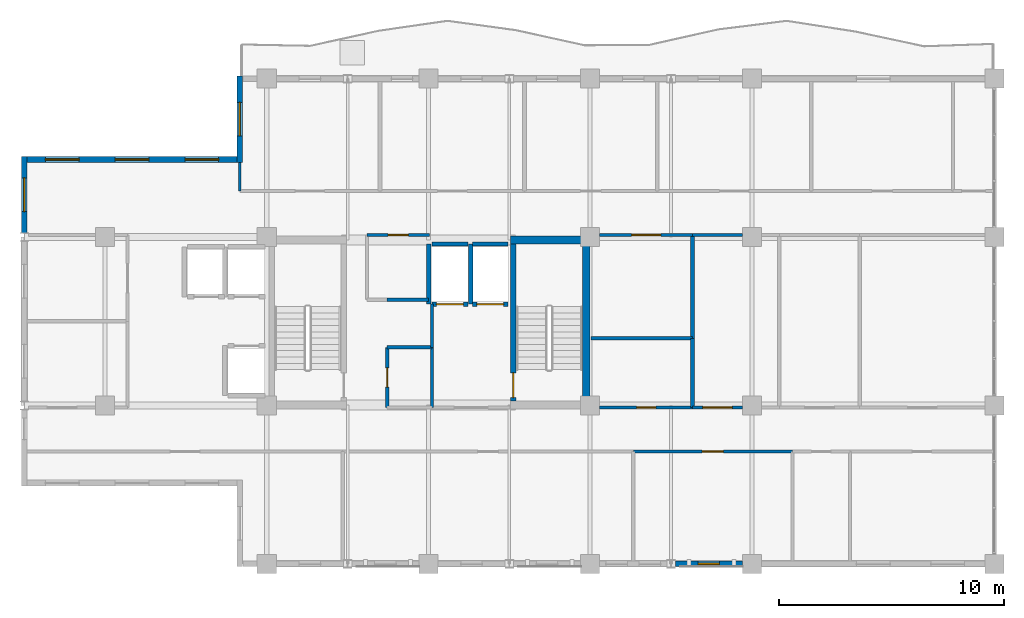
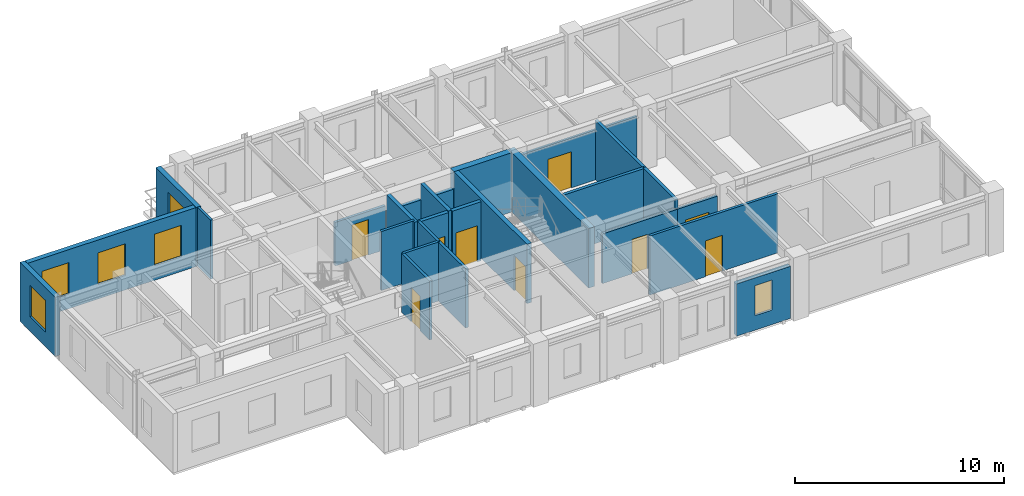
# One storey, part 7 of 10: 28 walls, 9 doors, 6 windows, 15 openings.
"""IFC4 building model written with IfcOpenShell, lengths in metres."""

from ifc_helpers import new_model, si_unit, direction, frame, frame_2d, origin, place, context, subcontext, project, spatial, rectangle, extrude, material, layer, layer_set, type_object, element, fill, save


model = new_model("IFC4")

# Units and contexts
model_context = context("Model", 3, precision=1e-05, world=origin(), true_north=direction((0.0, 1.0)))
body_context = subcontext(model_context, "Body", "Model", "MODEL_VIEW")
ifc_project = project(units=[si_unit("LENGTHUNIT", "METRE"), si_unit("AREAUNIT", "SQUARE_METRE"), si_unit("VOLUMEUNIT", "CUBIC_METRE"), si_unit("PLANEANGLEUNIT", "RADIAN"), si_unit("MASSUNIT", "GRAM", prefix="KILO")], contexts=[model_context])

# Site, building, storey
site_placement = place(None, origin())
site = spatial("IfcSite", under=ifc_project, at=site_placement, CompositionType="ELEMENT")
building_placement = place(site_placement, origin())
building = spatial("IfcBuilding", under=site, at=building_placement, Name="Kaliganga Portal Commons", CompositionType="ELEMENT")
storey_placement = place(building_placement, frame((0.0, 0.0, 286.89990234375)))
storey = spatial("IfcBuildingStorey", under=building, at=storey_placement, Name="L74", CompositionType="ELEMENT", Elevation=286.89990234375)

# Walls
ifc_material_1 = material(Name="Concrete C50/60", Category="concrete")
ifc_layer_1 = layer(ifc_material_1, 0.35009765625)
ifc_layer_set_1 = layer_set([ifc_layer_1], Name="Concrete C50/60")
wall_type_1 = type_object("IfcWallType", Name="WL-CORE-350", PredefinedType="SHEAR", material=ifc_layer_set_1)
wall_1_placement = place(storey_placement, frame((28.625, 28.5, 0.0), z_axis=(0.0, 0.0, 1.0), x_axis=(0.0, 1.0, 0.0)))
element("IfcWall", 1, at=wall_1_placement, inside=storey, type_object=wall_type_1, Name="Core A East Shear Wall L74", PredefinedType="SHEAR", context=body_context, shape_type="SweptSolid", body=[
    extrude(rectangle(XDim=7.699951171875, YDim=0.35009765625, at=frame_2d((3.85009765625, 0.0))), origin(), (0.0, 0.0, 1.0), 3.47509765625),
])
wall_2_placement = place(storey_placement, frame((25.25, 36.02490234375, 0.0), z_axis=(0.0, 0.0, 1.0), x_axis=(1.0, 0.0, 0.0)))
element("IfcWall", 2, at=wall_2_placement, inside=storey, type_object=wall_type_1, Name="Core A N-East Shear Wall L74", PredefinedType="SHEAR", context=body_context, shape_type="SweptSolid", body=[
    extrude(rectangle(XDim=3.199951171875, YDim=0.35009765625, at=frame_2d((1.60009765625, 0.0))), origin(), (0.0, 0.0, 1.0), 3.47509765625),
])

# Wall, opening, window
ifc_material_2 = material(Name="Insulated Aluminium-Clad Spandrel Assembly", Category="aluminium")
ifc_layer_2 = layer(ifc_material_2, 0.260009765625)
ifc_layer_set_2 = layer_set([ifc_layer_2], Name="Insulated Aluminium-Clad Spandrel Assembly")
wall_type_2 = type_object("IfcWallType", Name="WL-EXT-SPAND-260", PredefinedType="STANDARD", material=ifc_layer_set_2)
wall_3_placement = place(storey_placement, frame((35.573974609375, 21.60009765625, 0.0), z_axis=(0.0, 0.0, 1.0), x_axis=(-1.0, 0.0, 0.0)))
wall_3 = element("IfcWall", 3, at=wall_3_placement, inside=storey, type_object=wall_type_2, Name="Exterior Envelope Wall L74 P1-E00-S7", PredefinedType="STANDARD", context=body_context, shape_type="SweptSolid", body=[
    extrude(rectangle(XDim=2.986083984375, YDim=0.260009765625, at=frame_2d((1.4931640625, 0.0))), origin(), (0.0, 0.0, 1.0), 3.05517578125),
])
opening_1_placement = place(wall_3_placement, frame((1.01806640625, 0.0, 0.85009765625)))
opening_1 = element("IfcOpeningElement", 4, at=opening_1_placement, cuts=wall_3, Name="Opening W-04", PredefinedType="OPENING", context=body_context, shape_type="SweptSolid", body=[
    extrude(rectangle(XDim=0.949951171875, YDim=1.75, at=frame_2d((0.47509765625, 0.875))), frame((0.0, 0.14013671875, 0.0), z_axis=(0.0, -1.0, 0.0), x_axis=(1.0, 0.0, 0.0)), (0.0, 0.0, 1.0), 0.280029296875),
])
ifc_material_3 = material(Name="Thermally Broken Aluminium and Low-E Double Glazing", Category="aluminium")
window_type_1 = type_object("IfcWindowType", Name="WIN-NARROW-950", PartitioningType="SINGLE_PANEL", PredefinedType="WINDOW", material=ifc_material_3)
window_1_placement = place(opening_1_placement, origin())
window_1 = element("IfcWindow", 5, at=window_1_placement, inside=storey, type_object=window_type_1, Name="Facade Window L74-P1E00S7-00", OverallHeight=1.75, OverallWidth=0.949951171875, PartitioningType="SINGLE_PANEL", PredefinedType="WINDOW", context=body_context, shape_type="SweptSolid", body=[
    extrude(rectangle(XDim=0.949951171875, YDim=1.75, at=frame_2d((0.47509765625, 0.875))), frame((0.0, 0.030029296875, 0.0), z_axis=(0.0, -1.0, 0.0), x_axis=(1.0, 0.0, 0.0)), (0.0, 0.0, 1.0), 0.06005859375),
])
fill(opening_1, window_1)

wall_4_placement = place(storey_placement, frame((13.199951171875, 39.469970703125, 0.0), z_axis=(0.0, 0.0, 1.0), x_axis=(0.0, 1.0, 0.0)))
wall_4 = element("IfcWall", 6, at=wall_4_placement, inside=storey, type_object=wall_type_2, Name="Exterior Envelope Wall L74 P1-E03-S1", PredefinedType="STANDARD", context=body_context, shape_type="SweptSolid", body=[
    extrude(rectangle(XDim=3.860107421875, YDim=0.260009765625, at=frame_2d((1.93017578125, 0.0))), origin(), (0.0, 0.0, 1.0), 3.455078125),
])
opening_2_placement = place(wall_4_placement, frame((1.179931640625, 0.0, 0.85009765625)))
opening_2 = element("IfcOpeningElement", 7, at=opening_2_placement, cuts=wall_4, Name="Opening W-02", PredefinedType="OPENING", context=body_context, shape_type="SweptSolid", body=[
    extrude(rectangle(XDim=1.5, YDim=1.85009765625, at=frame_2d((0.75, 0.925048828125))), frame((0.0, 0.14013671875, 0.0), z_axis=(0.0, -1.0, 0.0), x_axis=(1.0, 0.0, 0.0)), (0.0, 0.0, 1.0), 0.280029296875),
])
window_type_2 = type_object("IfcWindowType", Name="WIN-STD-1500", PartitioningType="DOUBLE_PANEL_VERTICAL", PredefinedType="WINDOW", material=ifc_material_3)
window_2_placement = place(opening_2_placement, origin())
window_2 = element("IfcWindow", 8, at=window_2_placement, inside=storey, type_object=window_type_2, Name="Facade Window L74-P1E03S1-00", OverallHeight=1.85009765625, OverallWidth=1.5, PartitioningType="SINGLE_PANEL", PredefinedType="WINDOW", context=body_context, shape_type="SweptSolid", body=[
    extrude(rectangle(XDim=1.5, YDim=1.85009765625, at=frame_2d((0.75, 0.925048828125))), frame((0.0, 0.030029296875, 0.0), z_axis=(0.0, -1.0, 0.0), x_axis=(1.0, 0.0, 0.0)), (0.0, 0.0, 1.0), 0.06005859375),
])
fill(opening_2, window_2)

# Wall, openings, windows
wall_5_placement = place(storey_placement, frame((3.735107421875, 39.60009765625, 0.0), z_axis=(0.0, 0.0, 1.0), x_axis=(1.0, 0.0, 0.0)))
wall_5 = element("IfcWall", 9, at=wall_5_placement, inside=storey, type_object=wall_type_2, Name="Exterior Envelope Wall L74 P1-E04-S1", PredefinedType="STANDARD", context=body_context, shape_type="SweptSolid", body=[
    extrude(rectangle(XDim=9.329833984375, YDim=0.260009765625, at=frame_2d((4.6650390625, 0.0))), origin(), (0.0, 0.0, 1.0), 3.455078125),
])
opening_3_placement = place(wall_5_placement, frame((0.804931640625, 0.0, 0.85009765625)))
opening_3 = element("IfcOpeningElement", 10, at=opening_3_placement, cuts=wall_5, Name="Opening W-02", PredefinedType="OPENING", context=body_context, shape_type="SweptSolid", body=[
    extrude(rectangle(XDim=1.5, YDim=1.85009765625, at=frame_2d((0.75, 0.925048828125))), frame((0.0, 0.14013671875, 0.0), z_axis=(0.0, -1.0, 0.0), x_axis=(1.0, 0.0, 0.0)), (0.0, 0.0, 1.0), 0.280029296875),
])
opening_4_placement = place(wall_5_placement, frame((3.9150390625, 0.0, 0.85009765625)))
opening_4 = element("IfcOpeningElement", 11, at=opening_4_placement, cuts=wall_5, Name="Opening W-02", PredefinedType="OPENING", context=body_context, shape_type="SweptSolid", body=[
    extrude(rectangle(XDim=1.5, YDim=1.85009765625, at=frame_2d((0.75, 0.925048828125))), frame((0.0, 0.14013671875, 0.0), z_axis=(0.0, -1.0, 0.0), x_axis=(1.0, 0.0, 0.0)), (0.0, 0.0, 1.0), 0.280029296875),
])
opening_5_placement = place(wall_5_placement, frame((7.02490234375, 0.0, 0.85009765625)))
opening_5 = element("IfcOpeningElement", 12, at=opening_5_placement, cuts=wall_5, Name="Opening W-02", PredefinedType="OPENING", context=body_context, shape_type="SweptSolid", body=[
    extrude(rectangle(XDim=1.5, YDim=1.85009765625, at=frame_2d((0.75, 0.925048828125))), frame((0.0, 0.14013671875, 0.0), z_axis=(0.0, -1.0, 0.0), x_axis=(1.0, 0.0, 0.0)), (0.0, 0.0, 1.0), 0.280029296875),
])
window_3_placement = place(opening_3_placement, origin())
window_3 = element("IfcWindow", 13, at=window_3_placement, inside=storey, type_object=window_type_2, Name="Facade Window L74-P1E04S1-00", OverallHeight=1.85009765625, OverallWidth=1.5, PartitioningType="SINGLE_PANEL", PredefinedType="WINDOW", context=body_context, shape_type="SweptSolid", body=[
    extrude(rectangle(XDim=1.5, YDim=1.85009765625, at=frame_2d((0.75, 0.925048828125))), frame((0.0, 0.030029296875, 0.0), z_axis=(0.0, -1.0, 0.0), x_axis=(1.0, 0.0, 0.0)), (0.0, 0.0, 1.0), 0.06005859375),
])
fill(opening_3, window_3)
window_4_placement = place(opening_4_placement, origin())
window_4 = element("IfcWindow", 14, at=window_4_placement, inside=storey, type_object=window_type_2, Name="Facade Window L74-P1E04S1-01", OverallHeight=1.85009765625, OverallWidth=1.5, PartitioningType="SINGLE_PANEL", PredefinedType="WINDOW", context=body_context, shape_type="SweptSolid", body=[
    extrude(rectangle(XDim=1.5, YDim=1.85009765625, at=frame_2d((0.75, 0.925048828125))), frame((0.0, 0.030029296875, 0.0), z_axis=(0.0, -1.0, 0.0), x_axis=(1.0, 0.0, 0.0)), (0.0, 0.0, 1.0), 0.06005859375),
])
fill(opening_4, window_4)
window_5_placement = place(opening_5_placement, origin())
window_5 = element("IfcWindow", 15, at=window_5_placement, inside=storey, type_object=window_type_2, Name="Facade Window L74-P1E04S1-02", OverallHeight=1.85009765625, OverallWidth=1.5, PartitioningType="SINGLE_PANEL", PredefinedType="WINDOW", context=body_context, shape_type="SweptSolid", body=[
    extrude(rectangle(XDim=1.5, YDim=1.85009765625, at=frame_2d((0.75, 0.925048828125))), frame((0.0, 0.030029296875, 0.0), z_axis=(0.0, -1.0, 0.0), x_axis=(1.0, 0.0, 0.0)), (0.0, 0.0, 1.0), 0.06005859375),
])
fill(opening_5, window_5)

# Wall, opening, window
wall_6_placement = place(storey_placement, frame((3.60009765625, 36.3369140625, 0.0), z_axis=(0.0, 0.0, 1.0), x_axis=(0.0, 1.0, 0.0)))
wall_6 = element("IfcWall", 16, at=wall_6_placement, inside=storey, type_object=wall_type_2, Name="Exterior Envelope Wall L74 P1-E05-S1", PredefinedType="STANDARD", context=body_context, shape_type="SweptSolid", body=[
    extrude(rectangle(XDim=3.39306640625, YDim=0.260009765625, at=frame_2d((1.696533203125, 0.0))), origin(), (0.0, 0.0, 1.0), 3.455078125),
])
opening_6_placement = place(wall_6_placement, frame((0.946533203125, 0.0, 0.85009765625)))
opening_6 = element("IfcOpeningElement", 17, at=opening_6_placement, cuts=wall_6, Name="Opening W-02", PredefinedType="OPENING", context=body_context, shape_type="SweptSolid", body=[
    extrude(rectangle(XDim=1.5, YDim=1.85009765625, at=frame_2d((0.75, 0.925048828125))), frame((0.0, 0.14013671875, 0.0), z_axis=(0.0, -1.0, 0.0), x_axis=(1.0, 0.0, 0.0)), (0.0, 0.0, 1.0), 0.280029296875),
])
window_6_placement = place(opening_6_placement, origin())
window_6 = element("IfcWindow", 18, at=window_6_placement, inside=storey, type_object=window_type_2, Name="Facade Window L74-P1E05S1-00", OverallHeight=1.85009765625, OverallWidth=1.5, PartitioningType="SINGLE_PANEL", PredefinedType="WINDOW", context=body_context, shape_type="SweptSolid", body=[
    extrude(rectangle(XDim=1.5, YDim=1.85009765625, at=frame_2d((0.75, 0.925048828125))), frame((0.0, 0.030029296875, 0.0), z_axis=(0.0, -1.0, 0.0), x_axis=(1.0, 0.0, 0.0)), (0.0, 0.0, 1.0), 0.06005859375),
])
fill(opening_6, window_6)

# Wall, opening, door
ifc_material_4 = material(Name="Fire-Rated Gypsum Board on Steel Stud", Category="steel")
ifc_layer_3 = layer(ifc_material_4, 0.14990234375)
ifc_layer_set_3 = layer_set([ifc_layer_3], Name="Fire-Rated Gypsum Board on Steel Stud")
wall_type_3 = type_object("IfcWallType", Name="WL-PART-CORR-150", PredefinedType="PARTITIONING", material=ifc_layer_set_3)
wall_7_placement = place(storey_placement, frame((30.719970703125, 26.60009765625, 0.0), z_axis=(0.0, 0.0, 1.0), x_axis=(1.0, 0.0, 0.0)))
wall_7 = element("IfcWall", 19, at=wall_7_placement, inside=storey, type_object=wall_type_3, Name="Interior Partition L74-003", PredefinedType="PARTITIONING", context=body_context, shape_type="SweptSolid", body=[
    extrude(rectangle(XDim=7.080078125, YDim=0.14990234375, at=frame_2d((3.5400390625, 0.0))), origin(), (0.0, 0.0, 1.0), 3.455078125),
])
opening_7_placement = place(wall_7_placement, frame((3.06494140625, 0.0, 0.0)))
opening_7 = element("IfcOpeningElement", 20, at=opening_7_placement, cuts=wall_7, Name="Opening UD-01", PredefinedType="OPENING", context=body_context, shape_type="SweptSolid", body=[
    extrude(rectangle(XDim=0.949951171875, YDim=2.10009765625, at=frame_2d((0.47509765625, 1.050048828125))), frame((0.0, 0.0849609375, 0.0), z_axis=(0.0, -1.0, 0.0), x_axis=(1.0, 0.0, 0.0)), (0.0, 0.0, 1.0), 0.169921875),
])
ifc_material_5 = material(Name="Solid-Core Timber Acoustic Fire Door", Category="wood")
door_type_1 = type_object("IfcDoorType", Name="DR-UNIT-950", OperationType="NOTDEFINED", PredefinedType="DOOR", material=ifc_material_5)
door_1_placement = place(opening_7_placement, origin())
door_1 = element("IfcDoor", 21, at=door_1_placement, inside=storey, type_object=door_type_1, Name="Interior Door L74-AS03", OperationType="SINGLE_SWING_LEFT", OverallHeight=2.10009765625, OverallWidth=0.949951171875, PredefinedType="DOOR", context=body_context, shape_type="SweptSolid", body=[
    extrude(rectangle(XDim=0.949951171875, YDim=2.10009765625, at=frame_2d((0.47509765625, 1.050048828125))), frame((0.0, 0.02490234375, 0.0), z_axis=(0.0, -1.0, 0.0), x_axis=(1.0, 0.0, 0.0)), (0.0, 0.0, 1.0), 0.050048828125),
])
fill(opening_7, door_1)

wall_8_placement = place(storey_placement, frame((29.22509765625, 28.56005859375, 0.0), z_axis=(0.0, 0.0, 1.0), x_axis=(1.0, 0.0, 0.0)))
wall_8 = element("IfcWall", 22, at=wall_8_placement, inside=storey, type_object=wall_type_3, Name="Interior Partition L74-014", PredefinedType="PARTITIONING", context=body_context, shape_type="SweptSolid", body=[
    extrude(rectangle(XDim=4.135009765625, YDim=0.14990234375, at=frame_2d((2.0673828125, 0.0))), origin(), (0.0, 0.0, 1.0), 2.905029296875),
])
opening_8_placement = place(wall_8_placement, frame((1.637451171875, 0.0, 0.0)))
opening_8 = element("IfcOpeningElement", 23, at=opening_8_placement, cuts=wall_8, Name="Opening WD-02", PredefinedType="OPENING", context=body_context, shape_type="SweptSolid", body=[
    extrude(rectangle(XDim=0.860107421875, YDim=2.02001953125, at=frame_2d((0.43017578125, 1.010009765625))), frame((0.0, 0.0849609375, 0.0), z_axis=(0.0, -1.0, 0.0), x_axis=(1.0, 0.0, 0.0)), (0.0, 0.0, 1.0), 0.169921875),
])
ifc_material_6 = material(Name="Fire-Rated Utility Closet Door", Category="wood")
door_type_2 = type_object("IfcDoorType", Name="DR-STORE-800", OperationType="NOTDEFINED", PredefinedType="DOOR", material=ifc_material_6)
door_2_placement = place(opening_8_placement, origin())
door_2 = element("IfcDoor", 24, at=door_2_placement, inside=storey, type_object=door_type_2, Name="Interior Door L74-CSRV_A1", OperationType="SINGLE_SWING_RIGHT", OverallHeight=2.02001953125, OverallWidth=0.860107421875, PredefinedType="DOOR", context=body_context, shape_type="SweptSolid", body=[
    extrude(rectangle(XDim=0.860107421875, YDim=2.02001953125, at=frame_2d((0.43017578125, 1.010009765625))), frame((0.0, 0.02490234375, 0.0), z_axis=(0.0, -1.0, 0.0), x_axis=(1.0, 0.0, 0.0)), (0.0, 0.0, 1.0), 0.050048828125),
])
fill(opening_8, door_2)

wall_9_placement = place(storey_placement, frame((29.22509765625, 36.239990234375, 0.0), z_axis=(0.0, 0.0, 1.0), x_axis=(1.0, 0.0, 0.0)))
wall_9 = element("IfcWall", 25, at=wall_9_placement, inside=storey, type_object=wall_type_3, Name="Interior Partition L74-015", PredefinedType="PARTITIONING", context=body_context, shape_type="SweptSolid", body=[
    extrude(rectangle(XDim=4.135009765625, YDim=0.14990234375, at=frame_2d((2.0673828125, 0.0))), origin(), (0.0, 0.0, 1.0), 2.905029296875),
])
opening_9_placement = place(wall_9_placement, frame((1.41748046875, 0.0, 0.0)))
opening_9 = element("IfcOpeningElement", 26, at=opening_9_placement, cuts=wall_9, Name="Opening RD-03", PredefinedType="OPENING", context=body_context, shape_type="SweptSolid", body=[
    extrude(rectangle(XDim=1.300048828125, YDim=2.1201171875, at=frame_2d((0.64990234375, 1.06005859375))), frame((0.0, 0.0849609375, 0.0), z_axis=(0.0, -1.0, 0.0), x_axis=(1.0, 0.0, 0.0)), (0.0, 0.0, 1.0), 0.169921875),
])
ifc_material_7 = material(Name="Glazed Timber Seminar Vision Door", Category="wood")
door_type_3 = type_object("IfcDoorType", Name="DR-STUDY-1300", OperationType="DOUBLE_DOOR_SINGLE_SWING", PredefinedType="DOOR", material=ifc_material_7)
door_3_placement = place(opening_9_placement, origin())
door_3 = element("IfcDoor", 27, at=door_3_placement, inside=storey, type_object=door_type_3, Name="Interior Door L74-CSRV_A2", OperationType="DOUBLE_DOOR_SINGLE_SWING", OverallHeight=2.1201171875, OverallWidth=1.300048828125, PredefinedType="DOOR", context=body_context, shape_type="SweptSolid", body=[
    extrude(rectangle(XDim=1.300048828125, YDim=2.1201171875, at=frame_2d((0.64990234375, 1.06005859375))), frame((0.0, 0.02490234375, 0.0), z_axis=(0.0, -1.0, 0.0), x_axis=(1.0, 0.0, 0.0)), (0.0, 0.0, 1.0), 0.050048828125),
])
fill(opening_9, door_3)

wall_10_placement = place(storey_placement, frame((33.360107421875, 28.56005859375, 0.0), z_axis=(0.0, 0.0, 1.0), x_axis=(1.0, 0.0, 0.0)))
wall_10 = element("IfcWall", 28, at=wall_10_placement, inside=storey, type_object=wall_type_3, Name="Interior Partition L74-016", PredefinedType="PARTITIONING", context=body_context, shape_type="SweptSolid", body=[
    extrude(rectangle(XDim=2.21484375, YDim=0.14990234375, at=frame_2d((1.107421875, 0.0))), origin(), (0.0, 0.0, 1.0), 2.905029296875),
])
opening_10_placement = place(wall_10_placement, frame((0.45751953125, 0.0, 0.0)))
opening_10 = element("IfcOpeningElement", 29, at=opening_10_placement, cuts=wall_10, Name="Opening RD-03", PredefinedType="OPENING", context=body_context, shape_type="SweptSolid", body=[
    extrude(rectangle(XDim=1.300048828125, YDim=2.1201171875, at=frame_2d((0.64990234375, 1.06005859375))), frame((0.0, 0.0849609375, 0.0), z_axis=(0.0, -1.0, 0.0), x_axis=(1.0, 0.0, 0.0)), (0.0, 0.0, 1.0), 0.169921875),
])
door_4_placement = place(opening_10_placement, origin())
door_4 = element("IfcDoor", 30, at=door_4_placement, inside=storey, type_object=door_type_3, Name="Interior Door L74-AE01", OperationType="DOUBLE_DOOR_SINGLE_SWING", OverallHeight=2.1201171875, OverallWidth=1.300048828125, PredefinedType="DOOR", context=body_context, shape_type="SweptSolid", body=[
    extrude(rectangle(XDim=1.300048828125, YDim=2.1201171875, at=frame_2d((0.64990234375, 1.06005859375))), frame((0.0, 0.02490234375, 0.0), z_axis=(0.0, -1.0, 0.0), x_axis=(1.0, 0.0, 0.0)), (0.0, 0.0, 1.0), 0.050048828125),
])
fill(opening_10, door_4)

# Wall
wall_11_placement = place(storey_placement, frame((33.360107421875, 36.239990234375, 0.0), z_axis=(0.0, 0.0, 1.0), x_axis=(1.0, 0.0, 0.0)))
element("IfcWall", 31, at=wall_11_placement, inside=storey, type_object=wall_type_3, Name="Interior Partition L74-018", PredefinedType="PARTITIONING", context=body_context, shape_type="SweptSolid", body=[
    extrude(rectangle(XDim=2.21484375, YDim=0.14990234375, at=frame_2d((1.107421875, 0.0))), origin(), (0.0, 0.0, 1.0), 2.905029296875),
])

# Wall, opening, door
wall_12_placement = place(storey_placement, frame((18.860107421875, 36.239990234375, 0.0), z_axis=(0.0, 0.0, 1.0), x_axis=(1.0, 0.0, 0.0)))
wall_12 = element("IfcWall", 32, at=wall_12_placement, inside=storey, type_object=wall_type_3, Name="Interior Partition L74-025", PredefinedType="PARTITIONING", context=body_context, shape_type="SweptSolid", body=[
    extrude(rectangle(XDim=2.77978515625, YDim=0.14990234375, at=frame_2d((1.389892578125, 0.0))), origin(), (0.0, 0.0, 1.0), 2.55517578125),
])
opening_11_placement = place(wall_12_placement, frame((0.93994140625, 0.0, 0.0)))
opening_11 = element("IfcOpeningElement", 33, at=opening_11_placement, cuts=wall_12, Name="Opening RD-01", PredefinedType="OPENING", context=body_context, shape_type="SweptSolid", body=[
    extrude(rectangle(XDim=0.89990234375, YDim=2.080078125, at=frame_2d((0.449951171875, 1.0400390625))), frame((0.0, 0.0849609375, 0.0), z_axis=(0.0, -1.0, 0.0), x_axis=(1.0, 0.0, 0.0)), (0.0, 0.0, 1.0), 0.169921875),
])
ifc_material_8 = material(Name="Engineered Timber Flush Door", Category="wood")
door_type_4 = type_object("IfcDoorType", Name="DR-ROOM-900", OperationType="NOTDEFINED", PredefinedType="DOOR", material=ifc_material_8)
door_5_placement = place(opening_11_placement, origin())
door_5 = element("IfcDoor", 34, at=door_5_placement, inside=storey, type_object=door_type_4, Name="Interior Door L74-CREC_A1", OperationType="SINGLE_SWING_LEFT", OverallHeight=2.080078125, OverallWidth=0.89990234375, PredefinedType="DOOR", context=body_context, shape_type="SweptSolid", body=[
    extrude(rectangle(XDim=0.89990234375, YDim=2.080078125, at=frame_2d((0.449951171875, 1.0400390625))), frame((0.0, 0.02490234375, 0.0), z_axis=(0.0, -1.0, 0.0), x_axis=(1.0, 0.0, 0.0)), (0.0, 0.0, 1.0), 0.050048828125),
])
fill(opening_11, door_5)

wall_13_placement = place(storey_placement, frame((19.760009765625, 28.56005859375, 0.0), z_axis=(0.0, 0.0, 1.0), x_axis=(0.0, 1.0, 0.0)))
wall_13 = element("IfcWall", 35, at=wall_13_placement, inside=storey, type_object=wall_type_3, Name="Interior Partition L74-026", PredefinedType="PARTITIONING", context=body_context, shape_type="SweptSolid", body=[
    extrude(rectangle(XDim=2.679931640625, YDim=0.14990234375, at=frame_2d((1.33984375, 0.0))), origin(), (0.0, 0.0, 1.0), 3.455078125),
])
opening_12_placement = place(wall_13_placement, frame((0.909912109375, 0.0, 0.0)))
opening_12 = element("IfcOpeningElement", 36, at=opening_12_placement, cuts=wall_13, Name="Opening WD-02", PredefinedType="OPENING", context=body_context, shape_type="SweptSolid", body=[
    extrude(rectangle(XDim=0.860107421875, YDim=2.02001953125, at=frame_2d((0.43017578125, 1.010009765625))), frame((0.0, 0.0849609375, 0.0), z_axis=(0.0, -1.0, 0.0), x_axis=(1.0, 0.0, 0.0)), (0.0, 0.0, 1.0), 0.169921875),
])
door_6_placement = place(opening_12_placement, origin())
door_6 = element("IfcDoor", 37, at=door_6_placement, inside=storey, type_object=door_type_2, Name="Interior Door L74-CIN_A1", OperationType="SINGLE_SWING_RIGHT", OverallHeight=2.02001953125, OverallWidth=0.860107421875, PredefinedType="DOOR", context=body_context, shape_type="SweptSolid", body=[
    extrude(rectangle(XDim=0.860107421875, YDim=2.02001953125, at=frame_2d((0.43017578125, 1.010009765625))), frame((0.0, 0.02490234375, 0.0), z_axis=(0.0, -1.0, 0.0), x_axis=(1.0, 0.0, 0.0)), (0.0, 0.0, 1.0), 0.050048828125),
])
fill(opening_12, door_6)

# Walls
wall_14_placement = place(storey_placement, frame((21.760009765625, 28.56005859375, 0.0), z_axis=(0.0, 0.0, 1.0), x_axis=(0.0, 1.0, 0.0)))
element("IfcWall", 38, at=wall_14_placement, inside=storey, type_object=wall_type_3, Name="Interior Partition L74-027", PredefinedType="PARTITIONING", context=body_context, shape_type="SweptSolid", body=[
    extrude(rectangle(XDim=2.679931640625, YDim=0.14990234375, at=frame_2d((1.33984375, 0.0))), origin(), (0.0, 0.0, 1.0), 3.455078125),
])
wall_15_placement = place(storey_placement, frame((19.760009765625, 31.239990234375, 0.0), z_axis=(0.0, 0.0, 1.0), x_axis=(1.0, 0.0, 0.0)))
element("IfcWall", 39, at=wall_15_placement, inside=storey, type_object=wall_type_3, Name="Interior Partition L74-030", PredefinedType="PARTITIONING", context=body_context, shape_type="SweptSolid", body=[
    extrude(rectangle(XDim=2.0, YDim=0.14990234375, at=frame_2d((1.0, 0.0))), origin(), (0.0, 0.0, 1.0), 3.455078125),
])
wall_16_placement = place(storey_placement, frame((19.760009765625, 33.360107421875, 0.0), z_axis=(0.0, 0.0, 1.0), x_axis=(1.0, 0.0, 0.0)))
element("IfcWall", 40, at=wall_16_placement, inside=storey, type_object=wall_type_3, Name="Interior Partition L74-031", PredefinedType="PARTITIONING", context=body_context, shape_type="SweptSolid", body=[
    extrude(rectangle(XDim=1.85009765625, YDim=0.14990234375, at=frame_2d((0.925048828125, 0.0))), origin(), (0.0, 0.0, 1.0), 3.455078125),
])
wall_17_placement = place(storey_placement, frame((21.760009765625, 31.239990234375, 0.0), z_axis=(0.0, 0.0, 1.0), x_axis=(0.0, 1.0, 0.0)))
element("IfcWall", 41, at=wall_17_placement, inside=storey, type_object=wall_type_3, Name="Interior Partition L74-053", PredefinedType="PARTITIONING", context=body_context, shape_type="SweptSolid", body=[
    extrude(rectangle(XDim=1.919921875, YDim=0.14990234375, at=frame_2d((0.9599609375, 0.0))), origin(), (0.0, 0.0, 1.0), 3.455078125),
])
ifc_material_9 = material(Name="Moisture-Resistant Gypsum Partition", Category="gypsum")
ifc_layer_4 = layer(ifc_material_9, 0.114990234375)
ifc_layer_set_4 = layer_set([ifc_layer_4], Name="Moisture-Resistant Gypsum Partition")
wall_type_4 = type_object("IfcWallType", Name="WL-PART-ROOM-115", PredefinedType="PARTITIONING", material=ifc_layer_set_4)
wall_18_placement = place(storey_placement, frame((13.199951171875, 38.199951171875, 0.0), z_axis=(0.0, 0.0, 1.0), x_axis=(0.0, 1.0, 0.0)))
element("IfcWall", 42, at=wall_18_placement, inside=storey, type_object=wall_type_4, Name="Interior Partition L74-036", PredefinedType="PARTITIONING", context=body_context, shape_type="SweptSolid", body=[
    extrude(rectangle(XDim=1.26806640625, YDim=0.114990234375, at=frame_2d((0.634033203125, 0.0))), origin(), (0.0, 0.0, 1.0), 3.455078125),
])
ifc_material_10 = material(Name="Twin-Stud Acoustic Gypsum Partition", Category="gypsum")
ifc_layer_5 = layer(ifc_material_10, 0.1650390625)
ifc_layer_set_5 = layer_set([ifc_layer_5], Name="Twin-Stud Acoustic Gypsum Partition")
wall_type_5 = type_object("IfcWallType", Name="WL-PART-UNIT-165", PredefinedType="PARTITIONING", material=ifc_layer_set_5)
wall_19_placement = place(storey_placement, frame((33.360107421875, 31.639892578125, 0.0), z_axis=(0.0, 0.0, 1.0), x_axis=(0.0, 1.0, 0.0)))
element("IfcWall", 43, at=wall_19_placement, inside=storey, type_object=wall_type_5, Name="Interior Partition L74-046", PredefinedType="PARTITIONING", context=body_context, shape_type="SweptSolid", body=[
    extrude(rectangle(XDim=4.60009765625, YDim=0.1650390625, at=frame_2d((2.300048828125, 0.0))), origin(), (0.0, 0.0, 1.0), 3.455078125),
])
wall_20_placement = place(storey_placement, frame((28.840087890625, 31.639892578125, 0.0), z_axis=(0.0, 0.0, 1.0), x_axis=(1.0, 0.0, 0.0)))
element("IfcWall", 44, at=wall_20_placement, inside=storey, type_object=wall_type_5, Name="Interior Partition L74-050", PredefinedType="PARTITIONING", context=body_context, shape_type="SweptSolid", body=[
    extrude(rectangle(XDim=4.52001953125, YDim=0.1650390625, at=frame_2d((2.260009765625, 0.0))), origin(), (0.0, 0.0, 1.0), 3.455078125),
])
wall_21_placement = place(storey_placement, frame((33.360107421875, 28.56005859375, 0.0), z_axis=(0.0, 0.0, 1.0), x_axis=(0.0, 1.0, 0.0)))
element("IfcWall", 45, at=wall_21_placement, inside=storey, type_object=wall_type_5, Name="Interior Partition L74-052", PredefinedType="PARTITIONING", context=body_context, shape_type="SweptSolid", body=[
    extrude(rectangle(XDim=3.079833984375, YDim=0.1650390625, at=frame_2d((1.5400390625, 0.0))), origin(), (0.0, 0.0, 1.0), 3.455078125),
])

# Wall, opening, door
ifc_material_11 = material(Name="Fire-Rated Shaftwall Masonry Assembly", Category="masonry")
ifc_layer_6 = layer(ifc_material_11, 0.199951171875)
ifc_layer_set_6 = layer_set([ifc_layer_6], Name="Fire-Rated Shaftwall Masonry Assembly")
wall_type_6 = type_object("IfcWallType", Name="WL-SHAFT-200", PredefinedType="PARTITIONING", material=ifc_layer_set_6)
wall_22_placement = place(storey_placement, frame((21.75, 33.159912109375, 0.0), z_axis=(0.0, 0.0, 1.0), x_axis=(1.0, 0.0, 0.0)))
wall_22 = element("IfcWall", 46, at=wall_22_placement, inside=storey, type_object=wall_type_6, Name="Lift FFL-1 Hoistway Shaft Wall L74-S", PredefinedType="PARTITIONING", context=body_context, shape_type="SweptSolid", body=[
    extrude(rectangle(XDim=1.60009765625, YDim=0.199951171875, at=frame_2d((0.800048828125, 0.0))), origin(), (0.0, 0.0, 1.0), 3.455078125),
])
opening_13_placement = place(wall_22_placement, frame((0.199951171875, 0.0, 0.0)))
opening_13 = element("IfcOpeningElement", 47, at=opening_13_placement, cuts=wall_22, Name="Opening LD-02", PredefinedType="OPENING", context=body_context, shape_type="SweptSolid", body=[
    extrude(rectangle(XDim=1.199951171875, YDim=2.1201171875, at=frame_2d((0.60009765625, 1.06005859375))), frame((0.0, 0.10986328125, 0.0), z_axis=(0.0, -1.0, 0.0), x_axis=(1.0, 0.0, 0.0)), (0.0, 0.0, 1.0), 0.219970703125),
])
ifc_material_12 = material(Name="Brushed Stainless Steel 316 Stretcher Lift Landing Door", Category="steel")
door_type_5 = type_object("IfcDoorType", Name="DR-LIFT-1200", OperationType="SLIDING_TO_RIGHT", PredefinedType="DOOR", material=ifc_material_12)
door_7_placement = place(opening_13_placement, origin())
door_7 = element("IfcDoor", 48, at=door_7_placement, inside=storey, type_object=door_type_5, Name="Lift FFL-1 Sliding Landing Door L74", OperationType="SLIDING_TO_RIGHT", OverallHeight=2.1201171875, OverallWidth=1.199951171875, PredefinedType="DOOR", context=body_context, shape_type="SweptSolid", body=[
    extrude(rectangle(XDim=1.199951171875, YDim=2.1201171875, at=frame_2d((0.60009765625, 1.06005859375))), frame((0.0, 0.02490234375, 0.0), z_axis=(0.0, -1.0, 0.0), x_axis=(1.0, 0.0, 0.0)), (0.0, 0.0, 1.0), 0.050048828125),
])
fill(opening_13, door_7)

# Walls
wall_23_placement = place(storey_placement, frame((21.75, 35.840087890625, 0.0), z_axis=(0.0, 0.0, 1.0), x_axis=(1.0, 0.0, 0.0)))
element("IfcWall", 49, at=wall_23_placement, inside=storey, type_object=wall_type_6, Name="Lift FFL-1 Hoistway Shaft Wall L74-N", PredefinedType="PARTITIONING", context=body_context, shape_type="SweptSolid", body=[
    extrude(rectangle(XDim=1.60009765625, YDim=0.199951171875, at=frame_2d((0.800048828125, 0.0))), origin(), (0.0, 0.0, 1.0), 2.55517578125),
])
for number, where, z_axis, x_axis, name in (
    (50, (21.610107421875, 33.159912109375, 0.0), (0.0, 0.0, 1.0), (0.0, 1.0, 0.0), "Lift FFL-1 Hoistway Shaft Wall L74-W"),
    (51, (23.489990234375, 33.159912109375, 0.0), (0.0, 0.0, 1.0), (0.0, 1.0, 0.0), "Lift FFL-1 Hoistway Shaft Wall L74-E"),
):
    element("IfcWall", number, at=place(storey_placement, frame(where, z_axis=z_axis, x_axis=x_axis)), inside=storey, type_object=wall_type_6, Name=name, PredefinedType="PARTITIONING", context=body_context, shape_type="SweptSolid", body=[
        extrude(rectangle(XDim=2.68017578125, YDim=0.199951171875, at=frame_2d((1.340087890625, 0.0))), origin(), (0.0, 0.0, 1.0), 3.455078125),
    ])

# Wall, opening, door
wall_24_placement = place(storey_placement, frame((23.550048828125, 33.159912109375, 0.0), z_axis=(0.0, 0.0, 1.0), x_axis=(1.0, 0.0, 0.0)))
wall_24 = element("IfcWall", 52, at=wall_24_placement, inside=storey, type_object=wall_type_6, Name="Lift FFL-2 Hoistway Shaft Wall L74-S", PredefinedType="PARTITIONING", context=body_context, shape_type="SweptSolid", body=[
    extrude(rectangle(XDim=1.599853515625, YDim=0.199951171875, at=frame_2d((0.7998046875, 0.0))), origin(), (0.0, 0.0, 1.0), 3.455078125),
])
opening_14_placement = place(wall_24_placement, frame((0.199951171875, 0.0, 0.0)))
opening_14 = element("IfcOpeningElement", 53, at=opening_14_placement, cuts=wall_24, Name="Opening LD-02", PredefinedType="OPENING", context=body_context, shape_type="SweptSolid", body=[
    extrude(rectangle(XDim=1.199951171875, YDim=2.1201171875, at=frame_2d((0.60009765625, 1.06005859375))), frame((0.0, 0.10986328125, 0.0), z_axis=(0.0, -1.0, 0.0), x_axis=(1.0, 0.0, 0.0)), (0.0, 0.0, 1.0), 0.219970703125),
])
door_8_placement = place(opening_14_placement, origin())
door_8 = element("IfcDoor", 54, at=door_8_placement, inside=storey, type_object=door_type_5, Name="Lift FFL-2 Sliding Landing Door L74", OperationType="SLIDING_TO_RIGHT", OverallHeight=2.1201171875, OverallWidth=1.199951171875, PredefinedType="DOOR", context=body_context, shape_type="SweptSolid", body=[
    extrude(rectangle(XDim=1.199951171875, YDim=2.1201171875, at=frame_2d((0.60009765625, 1.06005859375))), frame((0.0, 0.02490234375, 0.0), z_axis=(0.0, -1.0, 0.0), x_axis=(1.0, 0.0, 0.0)), (0.0, 0.0, 1.0), 0.050048828125),
])
fill(opening_14, door_8)

# Wall
wall_25_placement = place(storey_placement, frame((23.550048828125, 35.840087890625, 0.0), z_axis=(0.0, 0.0, 1.0), x_axis=(1.0, 0.0, 0.0)))
element("IfcWall", 55, at=wall_25_placement, inside=storey, type_object=wall_type_6, Name="Lift FFL-2 Hoistway Shaft Wall L74-N", PredefinedType="PARTITIONING", context=body_context, shape_type="SweptSolid", body=[
    extrude(rectangle(XDim=1.599853515625, YDim=0.199951171875, at=frame_2d((0.7998046875, 0.0))), origin(), (0.0, 0.0, 1.0), 2.55517578125),
])

# Wall, opening, door
ifc_layer_7 = layer(ifc_material_1, 0.25)
ifc_layer_set_7 = layer_set([ifc_layer_7], Name="Concrete C50/60")
wall_type_7 = type_object("IfcWallType", Name="WL-STAIR-250", PredefinedType="SHEAR", material=ifc_layer_set_7)
wall_26_placement = place(storey_placement, frame((25.375, 28.85009765625, 0.0), z_axis=(0.0, 0.0, 1.0), x_axis=(0.0, 1.0, 0.0)))
wall_26 = element("IfcWall", 56, at=wall_26_placement, inside=storey, type_object=wall_type_7, Name="Stair A2 Enclosure Shear Wall L74", PredefinedType="SHEAR", context=body_context, shape_type="SweptSolid", body=[
    extrude(rectangle(XDim=7.0, YDim=0.25, at=frame_2d((3.5, 0.0))), origin(), (0.0, 0.0, 1.0), 3.47509765625),
])
opening_15_placement = place(wall_26_placement, frame((0.14990234375, 0.0, 0.0)))
opening_15 = element("IfcOpeningElement", 57, at=opening_15_placement, cuts=wall_26, Name="Opening SD-01", PredefinedType="OPENING", context=body_context, shape_type="SweptSolid", body=[
    extrude(rectangle(XDim=1.10009765625, YDim=2.080078125, at=frame_2d((0.550048828125, 1.0400390625))), frame((0.0, 0.135009765625, 0.0), z_axis=(0.0, -1.0, 0.0), x_axis=(1.0, 0.0, 0.0)), (0.0, 0.0, 1.0), 0.27001953125),
])
ifc_material_13 = material(Name="Galvanized Steel Fire Door Leaf and Frame", Category="steel")
door_type_6 = type_object("IfcDoorType", Name="DR-STAIR-1100", OperationType="NOTDEFINED", PredefinedType="DOOR", material=ifc_material_13)
door_9_placement = place(opening_15_placement, origin())
door_9 = element("IfcDoor", 58, at=door_9_placement, inside=storey, type_object=door_type_6, Name="Protected Stair ST-A2 Fire Door L74", OperationType="SINGLE_SWING_LEFT", OverallHeight=2.080078125, OverallWidth=1.10009765625, PredefinedType="DOOR", context=body_context, shape_type="SweptSolid", body=[
    extrude(rectangle(XDim=1.10009765625, YDim=2.080078125, at=frame_2d((0.550048828125, 1.0400390625))), frame((0.0, 0.02490234375, 0.0), z_axis=(0.0, -1.0, 0.0), x_axis=(1.0, 0.0, 0.0)), (0.0, 0.0, 1.0), 0.050048828125),
])
fill(opening_15, door_9)

save(model, "model.ifc")
